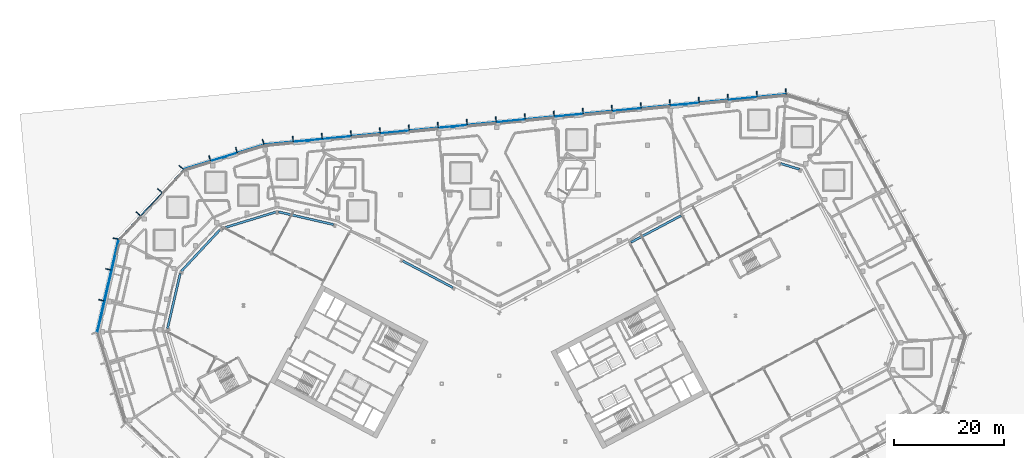
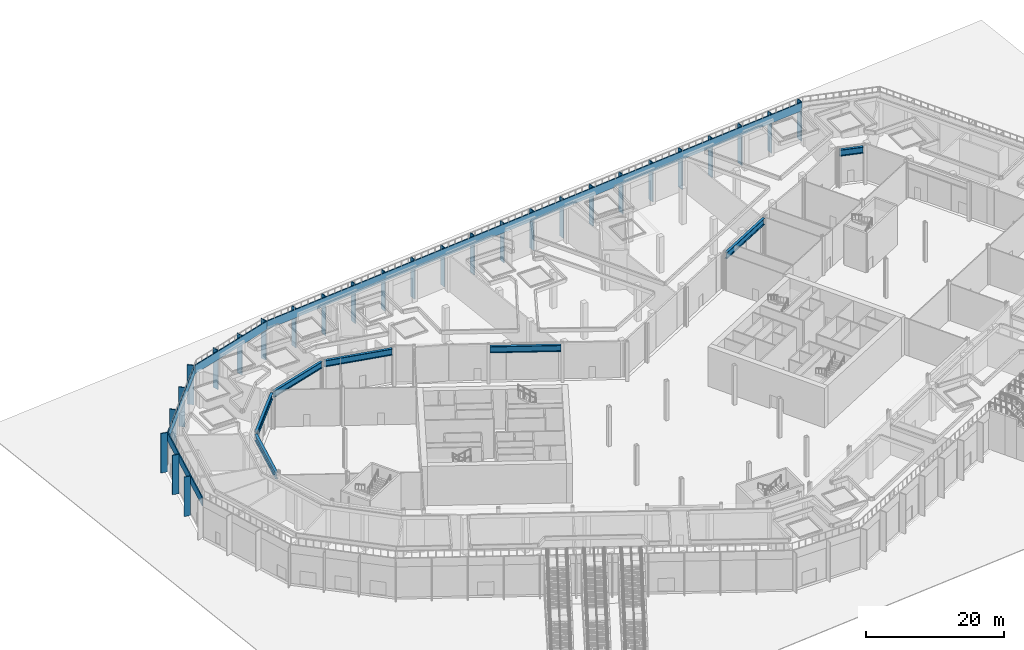
# One storey, part 9 of 57: 31 members, 7 beams, 4 elements without a shape of their own.
"""IFC4 building model written with IfcOpenShell, lengths in metres."""

from ifc_helpers import new_model, si_unit, direction, frame, origin, origin_2d, place, context, subcontext, project, spatial, rectangle, i_section, extrude, material, layer, layer_set, material_profile, profile_set, type_object, element, aggregate, save


model = new_model("IFC4")

# Units and contexts
model_context = context("Model", 3, precision=1e-05, world=origin(), true_north=direction((0.0, 1.0)))
body_context = subcontext(model_context, "Body", "Model", "MODEL_VIEW")
ifc_project = project(units=[si_unit("LENGTHUNIT", "METRE"), si_unit("AREAUNIT", "SQUARE_METRE"), si_unit("VOLUMEUNIT", "CUBIC_METRE"), si_unit("PLANEANGLEUNIT", "RADIAN"), si_unit("MASSUNIT", "GRAM", prefix="KILO")], contexts=[model_context])

# Site, building, storey
site_placement = place(None, origin())
site = spatial("IfcSite", under=ifc_project, at=site_placement, CompositionType="ELEMENT")
building_placement = place(site_placement, origin())
building = spatial("IfcBuilding", under=site, at=building_placement, Name="Cormorant Relay Tower", CompositionType="ELEMENT")
storey_placement = place(building_placement, origin())
storey = spatial("IfcBuildingStorey", under=building, at=storey_placement, Name="L00", CompositionType="ELEMENT", Elevation=0.0)

# Curtain wall, members
ifc_material_1 = material(Name="Aluminium 6063-T6 anodised bronze", Category="aluminium")
ifc_layer = layer(ifc_material_1, 0.199951171875)
ifc_layer_set = layer_set([ifc_layer], Name="CW2 base storefront")
curtain_wall_type = type_object("IfcCurtainWallType", Name="CW2 base storefront", PredefinedType="NOTDEFINED", material=ifc_layer_set)
curtain_wall_1_placement = place(storey_placement, origin())
curtain_wall_1 = element("IfcCurtainWall", 1, at=curtain_wall_1_placement, inside=storey, type_object=curtain_wall_type, Name="CW2 curtain wall 5", PredefinedType="NOTDEFINED")
ifc_material_2 = material(Name="Aluminium 6063-T6 anodised bronze", Category="aluminium")
ifc_material_profile_1 = material_profile(ifc_material_2, rectangle(XDim=0.14990234375, YDim=1.0, at=origin_2d()), Name="AL 150x1000")
ifc_profile_set_1 = profile_set([ifc_material_profile_1], Name="Aluminium 6063-T6 anodised bronze")
member_type_1 = type_object("IfcMemberType", Name="CW2 bronze fin mullion 150 x 1000", PredefinedType="MULLION", material=ifc_profile_set_1)
member_1_placement = place(storey_placement, frame((52.22265625, 63.805908203125, 0.0), z_axis=(0.0, 0.0, 1.0), x_axis=(-0.995387160697, -0.095939565976, 0.0)))
member_1 = element("IfcMember", 2, at=member_1_placement, type_object=member_type_1, Name="CW2 fin 5.1", PredefinedType="MULLION", context=body_context, shape_type="SweptSolid", body=[
    extrude(rectangle(XDim=0.14990234375, YDim=1.0, at=origin_2d()), origin(), (0.0, 0.0, 1.0), 7.0),
])
member_2_placement = place(storey_placement, frame((46.938720703125, 63.296630859375, 0.0), z_axis=(0.0, 0.0, 1.0), x_axis=(-0.995387160697, -0.095939565976, 0.0)))
member_2 = element("IfcMember", 3, at=member_2_placement, type_object=member_type_1, Name="CW2 fin 5.2", PredefinedType="MULLION", context=body_context, shape_type="SweptSolid", body=[
    extrude(rectangle(XDim=0.14990234375, YDim=1.0, at=origin_2d()), origin(), (0.0, 0.0, 1.0), 7.0),
])
member_3_placement = place(storey_placement, frame((41.65478515625, 62.787353515625, 0.0), z_axis=(0.0, 0.0, 1.0), x_axis=(-0.995387160697, -0.095939565976, 0.0)))
member_3 = element("IfcMember", 4, at=member_3_placement, type_object=member_type_1, Name="CW2 fin 5.3", PredefinedType="MULLION", context=body_context, shape_type="SweptSolid", body=[
    extrude(rectangle(XDim=0.14990234375, YDim=1.0, at=origin_2d()), origin(), (0.0, 0.0, 1.0), 7.0),
])
member_4_placement = place(storey_placement, frame((36.37109375, 62.278076171875, 0.0), z_axis=(0.0, 0.0, 1.0), x_axis=(-0.995387160697, -0.095939565976, 0.0)))
member_4 = element("IfcMember", 5, at=member_4_placement, type_object=member_type_1, Name="CW2 fin 5.4", PredefinedType="MULLION", context=body_context, shape_type="SweptSolid", body=[
    extrude(rectangle(XDim=0.14990234375, YDim=1.0, at=origin_2d()), origin(), (0.0, 0.0, 1.0), 7.0),
])
member_5_placement = place(storey_placement, frame((31.08740234375, 61.768798828125, 0.0), z_axis=(0.0, 0.0, 1.0), x_axis=(-0.995387160697, -0.095939565976, 0.0)))
member_5 = element("IfcMember", 6, at=member_5_placement, type_object=member_type_1, Name="CW2 fin 5.5", PredefinedType="MULLION", context=body_context, shape_type="SweptSolid", body=[
    extrude(rectangle(XDim=0.14990234375, YDim=1.0, at=origin_2d()), origin(), (0.0, 0.0, 1.0), 7.0),
])
member_6_placement = place(storey_placement, frame((25.803466796875, 61.259521484375, 0.0), z_axis=(0.0, 0.0, 1.0), x_axis=(-0.995387160697, -0.095939565976, 0.0)))
member_6 = element("IfcMember", 7, at=member_6_placement, type_object=member_type_1, Name="CW2 fin 5.6", PredefinedType="MULLION", context=body_context, shape_type="SweptSolid", body=[
    extrude(rectangle(XDim=0.14990234375, YDim=1.0, at=origin_2d()), origin(), (0.0, 0.0, 1.0), 7.0),
])
member_7_placement = place(storey_placement, frame((20.519775390625, 60.750244140625, 0.0), z_axis=(0.0, 0.0, 1.0), x_axis=(-0.995387160697, -0.095939565976, 0.0)))
member_7 = element("IfcMember", 8, at=member_7_placement, type_object=member_type_1, Name="CW2 fin 5.7", PredefinedType="MULLION", context=body_context, shape_type="SweptSolid", body=[
    extrude(rectangle(XDim=0.14990234375, YDim=1.0, at=origin_2d()), origin(), (0.0, 0.0, 1.0), 7.0),
])
member_8_placement = place(storey_placement, frame((15.23583984375, 60.240966796875, 0.0), z_axis=(0.0, 0.0, 1.0), x_axis=(-0.995387160697, -0.095939565976, 0.0)))
member_8 = element("IfcMember", 9, at=member_8_placement, type_object=member_type_1, Name="CW2 fin 5.8", PredefinedType="MULLION", context=body_context, shape_type="SweptSolid", body=[
    extrude(rectangle(XDim=0.14990234375, YDim=1.0, at=origin_2d()), origin(), (0.0, 0.0, 1.0), 7.0),
])
member_9_placement = place(storey_placement, frame((9.951904296875, 59.731689453125, 0.0), z_axis=(0.0, 0.0, 1.0), x_axis=(-0.995387160697, -0.095939565976, 0.0)))
member_9 = element("IfcMember", 10, at=member_9_placement, type_object=member_type_1, Name="CW2 fin 5.9", PredefinedType="MULLION", context=body_context, shape_type="SweptSolid", body=[
    extrude(rectangle(XDim=0.14990234375, YDim=1.0, at=origin_2d()), origin(), (0.0, 0.0, 1.0), 7.0),
])
member_10_placement = place(storey_placement, frame((4.668212890625, 59.222412109375, 0.0), z_axis=(0.0, 0.0, 1.0), x_axis=(-0.995387160697, -0.095939565976, 0.0)))
member_10 = element("IfcMember", 11, at=member_10_placement, type_object=member_type_1, Name="CW2 fin 5.10", PredefinedType="MULLION", context=body_context, shape_type="SweptSolid", body=[
    extrude(rectangle(XDim=0.14990234375, YDim=1.0, at=origin_2d()), origin(), (0.0, 0.0, 1.0), 7.0),
])
member_11_placement = place(storey_placement, frame((-0.615478515625, 58.713134765625, 0.0), z_axis=(0.0, 0.0, 1.0), x_axis=(-0.995387160697, -0.095939565976, 0.0)))
member_11 = element("IfcMember", 12, at=member_11_placement, type_object=member_type_1, Name="CW2 fin 5.11", PredefinedType="MULLION", context=body_context, shape_type="SweptSolid", body=[
    extrude(rectangle(XDim=0.14990234375, YDim=1.0, at=origin_2d()), origin(), (0.0, 0.0, 1.0), 7.0),
])
member_12_placement = place(storey_placement, frame((-5.8994140625, 58.203857421875, 0.0), z_axis=(0.0, 0.0, 1.0), x_axis=(-0.995387160697, -0.095939565976, 0.0)))
member_12 = element("IfcMember", 13, at=member_12_placement, type_object=member_type_1, Name="CW2 fin 5.12", PredefinedType="MULLION", context=body_context, shape_type="SweptSolid", body=[
    extrude(rectangle(XDim=0.14990234375, YDim=1.0, at=origin_2d()), origin(), (0.0, 0.0, 1.0), 7.0),
])
member_13_placement = place(storey_placement, frame((-11.18310546875, 57.694580078125, 0.0), z_axis=(0.0, 0.0, 1.0), x_axis=(-0.995387160697, -0.095939565976, 0.0)))
member_13 = element("IfcMember", 14, at=member_13_placement, type_object=member_type_1, Name="CW2 fin 5.13", PredefinedType="MULLION", context=body_context, shape_type="SweptSolid", body=[
    extrude(rectangle(XDim=0.14990234375, YDim=1.0, at=origin_2d()), origin(), (0.0, 0.0, 1.0), 7.0),
])
member_14_placement = place(storey_placement, frame((-16.467041015625, 57.185302734375, 0.0), z_axis=(0.0, 0.0, 1.0), x_axis=(-0.995387160697, -0.095939565976, 0.0)))
member_14 = element("IfcMember", 15, at=member_14_placement, type_object=member_type_1, Name="CW2 fin 5.14", PredefinedType="MULLION", context=body_context, shape_type="SweptSolid", body=[
    extrude(rectangle(XDim=0.14990234375, YDim=1.0, at=origin_2d()), origin(), (0.0, 0.0, 1.0), 7.0),
])
member_15_placement = place(storey_placement, frame((-21.7509765625, 56.676025390625, 0.0), z_axis=(0.0, 0.0, 1.0), x_axis=(-0.995387160697, -0.095939565976, 0.0)))
member_15 = element("IfcMember", 16, at=member_15_placement, type_object=member_type_1, Name="CW2 fin 5.15", PredefinedType="MULLION", context=body_context, shape_type="SweptSolid", body=[
    extrude(rectangle(XDim=0.14990234375, YDim=1.0, at=origin_2d()), origin(), (0.0, 0.0, 1.0), 7.0),
])
member_16_placement = place(storey_placement, frame((-27.03466796875, 56.166748046875, 0.0), z_axis=(0.0, 0.0, 1.0), x_axis=(-0.995387160697, -0.095939565976, 0.0)))
member_16 = element("IfcMember", 17, at=member_16_placement, type_object=member_type_1, Name="CW2 fin 5.16", PredefinedType="MULLION", context=body_context, shape_type="SweptSolid", body=[
    extrude(rectangle(XDim=0.14990234375, YDim=1.0, at=origin_2d()), origin(), (0.0, 0.0, 1.0), 7.0),
])
member_17_placement = place(storey_placement, frame((-32.318603515625, 55.657470703125, 0.0), z_axis=(0.0, 0.0, 1.0), x_axis=(-0.995387160697, -0.095939565976, 0.0)))
member_17 = element("IfcMember", 18, at=member_17_placement, type_object=member_type_1, Name="CW2 fin 5.17", PredefinedType="MULLION", context=body_context, shape_type="SweptSolid", body=[
    extrude(rectangle(XDim=0.14990234375, YDim=1.0, at=origin_2d()), origin(), (0.0, 0.0, 1.0), 7.0),
])
member_18_placement = place(storey_placement, frame((-37.602294921875, 55.148193359375, 0.0), z_axis=(0.0, 0.0, 1.0), x_axis=(-0.995387160697, -0.095939565976, 0.0)))
member_18 = element("IfcMember", 19, at=member_18_placement, type_object=member_type_1, Name="CW2 fin 5.18", PredefinedType="MULLION", context=body_context, shape_type="SweptSolid", body=[
    extrude(rectangle(XDim=0.14990234375, YDim=1.0, at=origin_2d()), origin(), (0.0, 0.0, 1.0), 7.0),
])

curtain_wall_2_placement = place(storey_placement, origin())
curtain_wall_2 = element("IfcCurtainWall", 20, at=curtain_wall_2_placement, inside=storey, type_object=curtain_wall_type, Name="CW2 curtain wall 6", PredefinedType="NOTDEFINED")
member_19_placement = place(storey_placement, frame((-43.023681640625, 54.611572265625, 0.0), z_axis=(0.0, 0.0, 1.0), x_axis=(-0.956304755963, -0.292371704723, 0.0)))
member_19 = element("IfcMember", 21, at=member_19_placement, type_object=member_type_1, Name="CW2 fin 6.1", PredefinedType="MULLION", context=body_context, shape_type="SweptSolid", body=[
    extrude(rectangle(XDim=0.14990234375, YDim=1.0, at=origin_2d()), origin(), (0.0, 0.0, 1.0), 7.0),
])
member_20_placement = place(storey_placement, frame((-47.898681640625, 53.12109375, 0.0), z_axis=(0.0, 0.0, 1.0), x_axis=(-0.956304755963, -0.292371704723, 0.0)))
member_20 = element("IfcMember", 22, at=member_20_placement, type_object=member_type_1, Name="CW2 fin 6.2", PredefinedType="MULLION", context=body_context, shape_type="SweptSolid", body=[
    extrude(rectangle(XDim=0.14990234375, YDim=1.0, at=origin_2d()), origin(), (0.0, 0.0, 1.0), 7.0),
])
member_21_placement = place(storey_placement, frame((-52.77392578125, 51.630615234375, 0.0), z_axis=(0.0, 0.0, 1.0), x_axis=(-0.956304755963, -0.292371704723, 0.0)))
member_21 = element("IfcMember", 23, at=member_21_placement, type_object=member_type_1, Name="CW2 fin 6.3", PredefinedType="MULLION", context=body_context, shape_type="SweptSolid", body=[
    extrude(rectangle(XDim=0.14990234375, YDim=1.0, at=origin_2d()), origin(), (0.0, 0.0, 1.0), 7.0),
])

curtain_wall_3_placement = place(storey_placement, origin())
curtain_wall_3 = element("IfcCurtainWall", 24, at=curtain_wall_3_placement, inside=storey, type_object=curtain_wall_type, Name="CW2 curtain wall 7", PredefinedType="NOTDEFINED")
member_22_placement = place(storey_placement, frame((-57.956298828125, 49.9482421875, 0.0), z_axis=(0.0, 0.0, 1.0), x_axis=(-0.681998360062, -0.731353701619, 0.0)))
member_22 = element("IfcMember", 25, at=member_22_placement, type_object=member_type_1, Name="CW2 fin 7.1", PredefinedType="MULLION", context=body_context, shape_type="SweptSolid", body=[
    extrude(rectangle(XDim=0.14990234375, YDim=1.0, at=origin_2d()), origin(), (0.0, 0.0, 1.0), 7.0),
])
member_23_placement = place(storey_placement, frame((-61.889404296875, 45.73046875, 0.0), z_axis=(0.0, 0.0, 1.0), x_axis=(-0.681998360062, -0.731353701619, 0.0)))
member_23 = element("IfcMember", 26, at=member_23_placement, type_object=member_type_1, Name="CW2 fin 7.2", PredefinedType="MULLION", context=body_context, shape_type="SweptSolid", body=[
    extrude(rectangle(XDim=0.14990234375, YDim=1.0, at=origin_2d()), origin(), (0.0, 0.0, 1.0), 7.0),
])
member_24_placement = place(storey_placement, frame((-65.822509765625, 41.5126953125, 0.0), z_axis=(0.0, 0.0, 1.0), x_axis=(-0.681998360062, -0.731353701619, 0.0)))
member_24 = element("IfcMember", 27, at=member_24_placement, type_object=member_type_1, Name="CW2 fin 7.3", PredefinedType="MULLION", context=body_context, shape_type="SweptSolid", body=[
    extrude(rectangle(XDim=0.14990234375, YDim=1.0, at=origin_2d()), origin(), (0.0, 0.0, 1.0), 7.0),
])

curtain_wall_4_placement = place(storey_placement, origin())
curtain_wall_4 = element("IfcCurtainWall", 28, at=curtain_wall_4_placement, inside=storey, type_object=curtain_wall_type, Name="CW2 curtain wall 8", PredefinedType="NOTDEFINED")
member_25_placement = place(storey_placement, frame((-69.92578125, 36.97509765625, 0.0), z_axis=(0.0, 0.0, 1.0), x_axis=(-0.224951054344, -0.974370064785, 0.0)))
member_25 = element("IfcMember", 29, at=member_25_placement, type_object=member_type_1, Name="CW2 fin 8.1", PredefinedType="MULLION", context=body_context, shape_type="SweptSolid", body=[
    extrude(rectangle(XDim=0.14990234375, YDim=1.0, at=origin_2d()), origin(), (0.0, 0.0, 1.0), 7.0),
])
member_26_placement = place(storey_placement, frame((-71.222900390625, 31.355712890625, 0.0), z_axis=(0.0, 0.0, 1.0), x_axis=(-0.224951054344, -0.974370064785, 0.0)))
member_26 = element("IfcMember", 30, at=member_26_placement, type_object=member_type_1, Name="CW2 fin 8.2", PredefinedType="MULLION", context=body_context, shape_type="SweptSolid", body=[
    extrude(rectangle(XDim=0.14990234375, YDim=1.0, at=origin_2d()), origin(), (0.0, 0.0, 1.0), 7.0),
])
member_27_placement = place(storey_placement, frame((-72.520263671875, 25.736572265625, 0.0), z_axis=(0.0, 0.0, 1.0), x_axis=(-0.224951054344, -0.974370064785, 0.0)))
member_27 = element("IfcMember", 31, at=member_27_placement, type_object=member_type_1, Name="CW2 fin 8.3", PredefinedType="MULLION", context=body_context, shape_type="SweptSolid", body=[
    extrude(rectangle(XDim=0.14990234375, YDim=1.0, at=origin_2d()), origin(), (0.0, 0.0, 1.0), 7.0),
])

# Member
ifc_material_3 = material(Name="Aluminium 6063-T6 anodised bronze", Category="aluminium")
ifc_material_profile_2 = material_profile(ifc_material_3, rectangle(XDim=0.159912109375, YDim=1.5, at=origin_2d()), Name="AL 160x1500")
ifc_profile_set_2 = profile_set([ifc_material_profile_2], Name="Aluminium 6063-T6 anodised bronze")
member_type_2 = type_object("IfcMemberType", Name="CW2 bronze transom 160 x 1500", PredefinedType="USERDEFINED", material=ifc_profile_set_2)
member_28_placement = place(storey_placement, frame((52.2783203125, 63.228515625, 6.25), z_axis=(-0.995387159679, -0.095939576533, 0.0), x_axis=(0.095939576533, -0.995387159679, 0.0)))
member_28 = element("IfcMember", 32, at=member_28_placement, type_object=member_type_2, Name="CW2 transom 5", ObjectType="TRANSOM", PredefinedType="USERDEFINED", context=body_context, shape_type="SweptSolid", body=[
    extrude(rectangle(XDim=0.159912109375, YDim=1.5, at=origin_2d()), origin(), (0.0, 0.0, 1.0), 95.549560546875),
])

aggregate(curtain_wall_1, [member_1, member_2, member_3, member_4, member_5, member_6, member_7, member_8, member_9, member_10, member_11, member_12, member_13, member_14, member_15, member_16, member_17, member_18, member_28])

member_29_placement = place(storey_placement, frame((-42.85400390625, 54.056884765625, 6.25), z_axis=(-0.956309675335, -0.292355613696, 0.0), x_axis=(0.292355613696, -0.956309675335, 0.0)))
member_29 = element("IfcMember", 33, at=member_29_placement, type_object=member_type_2, Name="CW2 transom 6", ObjectType="TRANSOM", PredefinedType="USERDEFINED", context=body_context, shape_type="SweptSolid", body=[
    extrude(rectangle(XDim=0.159912109375, YDim=1.5, at=origin_2d()), origin(), (0.0, 0.0, 1.0), 15.293701171875),
])

aggregate(curtain_wall_2, [member_19, member_20, member_21, member_29])

member_30_placement = place(storey_placement, frame((-57.531982421875, 49.552490234375, 6.25), z_axis=(-0.682002440659, -0.73134989638, 0.0), x_axis=(0.73134989638, -0.682002440659, 0.0)))
member_30 = element("IfcMember", 34, at=member_30_placement, type_object=member_type_2, Name="CW2 transom 7", ObjectType="TRANSOM", PredefinedType="USERDEFINED", context=body_context, shape_type="SweptSolid", body=[
    extrude(rectangle(XDim=0.159912109375, YDim=1.5, at=origin_2d()), origin(), (0.0, 0.0, 1.0), 17.301025390625),
])

aggregate(curtain_wall_3, [member_22, member_23, member_24, member_30])

member_31_placement = place(storey_placement, frame((-69.360595703125, 36.844482421875, 6.25), z_axis=(-0.224948137379, -0.974370738215, 0.0), x_axis=(0.974370738215, -0.224948137379, 0.0)))
member_31 = element("IfcMember", 35, at=member_31_placement, type_object=member_type_2, Name="CW2 transom 8", ObjectType="TRANSOM", PredefinedType="USERDEFINED", context=body_context, shape_type="SweptSolid", body=[
    extrude(rectangle(XDim=0.159912109375, YDim=1.5, at=origin_2d()), origin(), (0.0, 0.0, 1.0), 17.301025390625),
])

aggregate(curtain_wall_4, [member_25, member_26, member_27, member_31])

# Beams
ifc_material_4 = material(Name="Steel ASTM A992 (Fy 345 MPa)", Category="steel")
ifc_material_profile_3 = material_profile(ifc_material_4, i_section(OverallWidth=0.408935546875, OverallDepth=1.137939453125, WebThickness=0.031005859375, FlangeThickness=0.05517578125, FilletRadius=0.02001953125, at=origin_2d()), Name="W1100x607")
ifc_profile_set_3 = profile_set([ifc_material_profile_3], Name="Steel ASTM A992 (Fy 345 MPa)")
beam_type = type_object("IfcBeamType", Name="Spandrel W1100x607", PredefinedType="SPANDREL", material=ifc_profile_set_3)
beam_1_placement = place(storey_placement, frame((54.697998046875, 49.61083984375, 5.98095703125), z_axis=(-0.956309414252, 0.292356467713, 0.0), x_axis=(-0.292356467713, -0.956309414252, 0.0)))
element("IfcBeam", 36, at=beam_1_placement, inside=storey, type_object=beam_type, Name="Spandrel beam L00-005", PredefinedType="SPANDREL", context=body_context, shape_type="SweptSolid", body=[
    extrude(i_section(OverallWidth=0.408935546875, OverallDepth=1.137939453125, WebThickness=0.031005859375, FlangeThickness=0.05517578125, FilletRadius=0.02001953125, at=origin_2d()), origin(), (0.0, 0.0, 1.0), 3.552490234375),
])
beam_2_placement = place(storey_placement, frame((33.132080078125, 41.169189453125, 5.98095703125), z_axis=(-0.882942412403, -0.469481305677, 0.0), x_axis=(0.469481305677, -0.882942412403, 0.0)))
element("IfcBeam", 37, at=beam_2_placement, inside=storey, type_object=beam_type, Name="Spandrel beam L00-006", PredefinedType="SPANDREL", context=body_context, shape_type="SweptSolid", body=[
    extrude(i_section(OverallWidth=0.408935546875, OverallDepth=1.137939453125, WebThickness=0.031005859375, FlangeThickness=0.05517578125, FilletRadius=0.02001953125, at=origin_2d()), origin(), (0.0, 0.0, 1.0), 10.363525390625),
])
beam_3_placement = place(storey_placement, frame((-8.442138671875, 28.041015625, 5.98095703125), z_axis=(-0.882941792792, 0.469482470963, 0.0), x_axis=(-0.469482470963, -0.882941792792, 0.0)))
element("IfcBeam", 38, at=beam_3_placement, inside=storey, type_object=beam_type, Name="Spandrel beam L00-007", PredefinedType="SPANDREL", context=body_context, shape_type="SweptSolid", body=[
    extrude(i_section(OverallWidth=0.408935546875, OverallDepth=1.137939453125, WebThickness=0.031005859375, FlangeThickness=0.05517578125, FilletRadius=0.02001953125, at=origin_2d()), origin(), (0.0, 0.0, 1.0), 10.363037109375),
])
beam_4_placement = place(storey_placement, frame((-30.184814453125, 39.530029296875, 5.98095703125), z_axis=(-0.974369683491, 0.224952705905, 0.0), x_axis=(-0.224952705905, -0.974369683491, 0.0)))
element("IfcBeam", 39, at=beam_4_placement, inside=storey, type_object=beam_type, Name="Spandrel beam L00-008", PredefinedType="SPANDREL", context=body_context, shape_type="SweptSolid", body=[
    extrude(i_section(OverallWidth=0.408935546875, OverallDepth=1.137939453125, WebThickness=0.031005859375, FlangeThickness=0.05517578125, FilletRadius=0.02001953125, at=origin_2d()), origin(), (0.0, 0.0, 1.0), 10.3310546875),
])
beam_5_placement = place(storey_placement, frame((-40.716796875, 41.82275390625, 5.98095703125), z_axis=(-0.956304908485, -0.292371205845, 0.0), x_axis=(0.292371205845, -0.956304908485, 0.0)))
element("IfcBeam", 40, at=beam_5_placement, inside=storey, type_object=beam_type, Name="Spandrel beam L00-009", PredefinedType="SPANDREL", context=body_context, shape_type="SweptSolid", body=[
    extrude(i_section(OverallWidth=0.408935546875, OverallDepth=1.137939453125, WebThickness=0.031005859375, FlangeThickness=0.05517578125, FilletRadius=0.02001953125, at=origin_2d()), origin(), (0.0, 0.0, 1.0), 10.278564453125),
])
beam_6_placement = place(storey_placement, frame((-50.93359375, 38.557373046875, 5.98095703125), z_axis=(-0.682005863937, -0.731346704071, 0.0), x_axis=(0.731346704071, -0.682005863937, 0.0)))
element("IfcBeam", 41, at=beam_6_placement, inside=storey, type_object=beam_type, Name="Spandrel beam L00-010", PredefinedType="SPANDREL", context=body_context, shape_type="SweptSolid", body=[
    extrude(i_section(OverallWidth=0.408935546875, OverallDepth=1.137939453125, WebThickness=0.031005859375, FlangeThickness=0.05517578125, FilletRadius=0.02001953125, at=origin_2d()), origin(), (0.0, 0.0, 1.0), 10.277099609375),
])
beam_7_placement = place(storey_placement, frame((-58.1484375, 30.6220703125, 5.98095703125), z_axis=(-0.224956659484, -0.97436877072, 0.0), x_axis=(0.97436877072, -0.224956659484, 0.0)))
element("IfcBeam", 42, at=beam_7_placement, inside=storey, type_object=beam_type, Name="Spandrel beam L00-011", PredefinedType="SPANDREL", context=body_context, shape_type="SweptSolid", body=[
    extrude(i_section(OverallWidth=0.408935546875, OverallDepth=1.137939453125, WebThickness=0.031005859375, FlangeThickness=0.05517578125, FilletRadius=0.02001953125, at=origin_2d()), origin(), (0.0, 0.0, 1.0), 10.277587890625),
])

save(model, "model.ifc")
